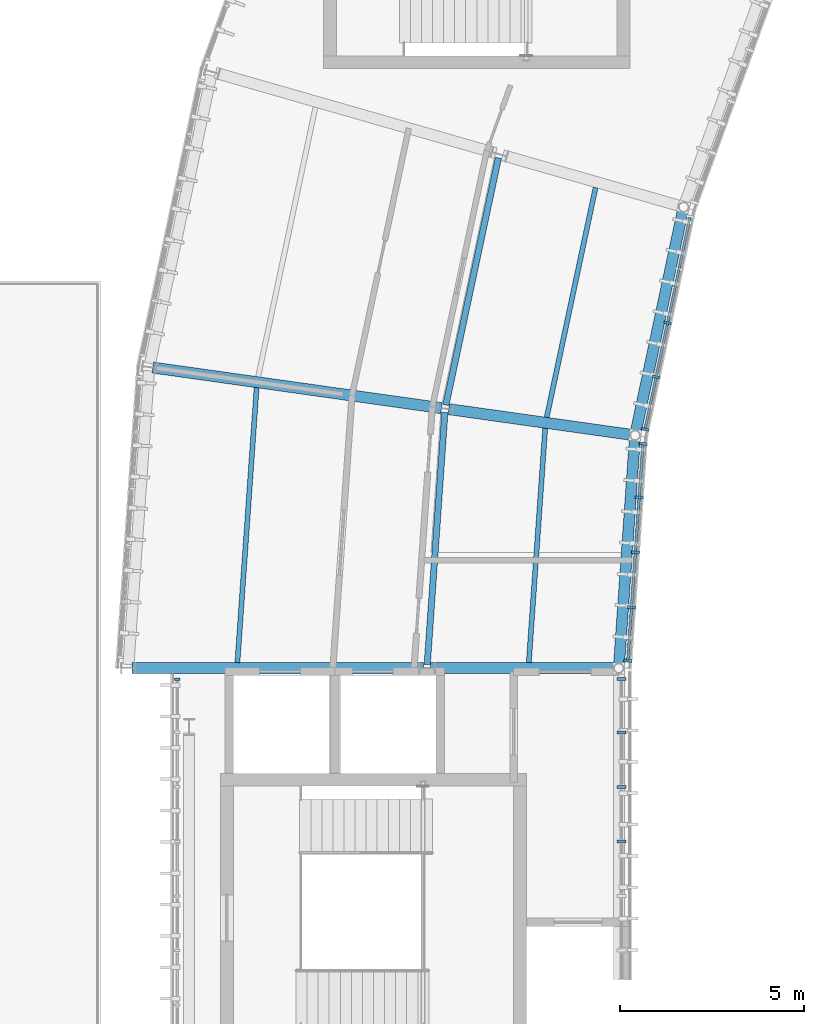
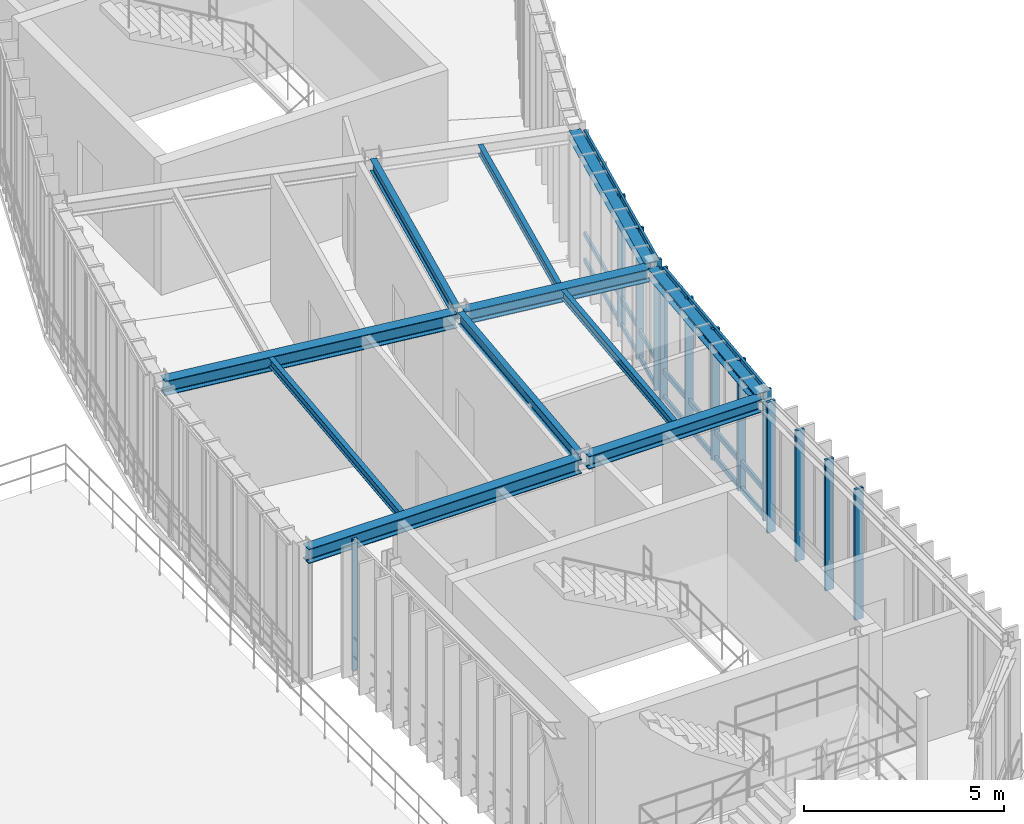
# One storey, part 12 of 52: 19 members, 11 beams, 4 elements without a shape of their own.
"""IFC4 building model written with IfcOpenShell, lengths in metres."""

from ifc_helpers import new_model, si_unit, direction, frame, origin, origin_2d, place, context, subcontext, project, spatial, rectangle, i_section, extrude, material, layer, layer_set, material_profile, profile_set, type_object, element, aggregate, save


model = new_model("IFC4")

# Units and contexts
model_context = context("Model", 3, precision=1e-05, world=origin(), true_north=direction((0.0, 1.0)))
body_context = subcontext(model_context, "Body", "Model", "MODEL_VIEW")
ifc_project = project(units=[si_unit("LENGTHUNIT", "METRE"), si_unit("AREAUNIT", "SQUARE_METRE"), si_unit("VOLUMEUNIT", "CUBIC_METRE"), si_unit("PLANEANGLEUNIT", "RADIAN"), si_unit("MASSUNIT", "GRAM", prefix="KILO"), si_unit("THERMODYNAMICTEMPERATUREUNIT", "KELVIN"), si_unit("POWERUNIT", "WATT")], contexts=[model_context])

# Site, building, storey
site_placement = place(None, origin())
site = spatial("IfcSite", under=ifc_project, at=site_placement, CompositionType="ELEMENT")
building_placement = place(site_placement, origin())
building = spatial("IfcBuilding", under=site, at=building_placement, Name="Solvatero Civic Police Headquarters", CompositionType="ELEMENT")
storey_placement = place(building_placement, frame((0.0, 0.0, 13.5)))
storey = spatial("IfcBuildingStorey", under=building, at=storey_placement, Name="L03", CompositionType="ELEMENT", Elevation=13.5)

# Beams
ifc_material_1 = material(Name="Steel S355", Category="steel")
ifc_material_profile_1 = material_profile(ifc_material_1, i_section(OverallWidth=0.300048828125, OverallDepth=0.2900390625, WebThickness=0.008544921875, FlangeThickness=0.013916015625, FilletRadius=0.027099609375, at=origin_2d()), Name="HEA 300")
ifc_profile_set_1 = profile_set([ifc_material_profile_1], Name="Steel S355")
beam_type_1 = type_object("IfcBeamType", Name="BM-ST-HEA300", PredefinedType="SPANDREL", material=ifc_profile_set_1)
beam_1_placement = place(storey_placement, frame((50.385986328125, 38.40234375, 3.85498046875), z_axis=(-0.207917848731, -0.978146291809, 0.0), x_axis=(0.978146291809, -0.207917848731, 0.0)))
element("IfcBeam", 1, at=beam_1_placement, inside=storey, type_object=beam_type_1, Name="Perimeter / radial spandrel beam BM-R2-L03-ARC-CIN-B11", PredefinedType="SPANDREL", context=body_context, shape_type="SweptSolid", body=[
    extrude(i_section(OverallWidth=0.300048828125, OverallDepth=0.2900390625, WebThickness=0.008544921875, FlangeThickness=0.013916015625, FilletRadius=0.027099609375, at=origin_2d()), origin(), (0.0, 0.0, 1.0), 6.126953125),
])
beam_2_placement = place(storey_placement, frame((49.084228515625, 32.211669921875, 3.85498046875), z_axis=(-0.069734750573, -0.997565569054, 0.0), x_axis=(0.997565569054, -0.069734750573, 0.0)))
element("IfcBeam", 2, at=beam_2_placement, inside=storey, type_object=beam_type_1, Name="Perimeter / radial spandrel beam BM-R2-L03-ARC-CIN-B12", PredefinedType="SPANDREL", context=body_context, shape_type="SweptSolid", body=[
    extrude(i_section(OverallWidth=0.300048828125, OverallDepth=0.2900390625, WebThickness=0.008544921875, FlangeThickness=0.013916015625, FilletRadius=0.027099609375, at=origin_2d()), origin(), (0.0, 0.0, 1.0), 6.126708984375),
])
ifc_material_profile_2 = material_profile(ifc_material_1, i_section(OverallWidth=0.300048828125, OverallDepth=0.389892578125, WebThickness=0.010986328125, FlangeThickness=0.01904296875, FilletRadius=0.027099609375, at=origin_2d()), Name="HEA 400")
ifc_profile_set_2 = profile_set([ifc_material_profile_2], Name="Steel S355")
beam_type_2 = type_object("IfcBeamType", Name="BM-ST-HEA400", PredefinedType="BEAM", material=ifc_profile_set_2)
beam_3_placement = place(storey_placement, frame((48.9921875, 32.325439453125, 3.804931640625), z_axis=(-0.990269200152, 0.139165050317, 0.0), x_axis=(-0.139165050317, -0.990269200152, 0.0)))
element("IfcBeam", 3, at=beam_3_placement, inside=storey, type_object=beam_type_2, Name="Primary girder BM-R2-L03-ARC-RAD1-S11", PredefinedType="BEAM", context=body_context, shape_type="SweptSolid", body=[
    extrude(i_section(OverallWidth=0.300048828125, OverallDepth=0.389892578125, WebThickness=0.010986328125, FlangeThickness=0.01904296875, FilletRadius=0.027099609375, at=origin_2d()), origin(), (0.0, 0.0, 1.0), 4.999755859375),
])
beam_4_placement = place(storey_placement, frame((48.550048828125, 26.0, 3.804931640625), z_axis=(-1.0, 0.0, 0.0), x_axis=(0.0, -1.0, 0.0)))
element("IfcBeam", 4, at=beam_4_placement, inside=storey, type_object=beam_type_2, Name="Primary girder BM-R2-L03-ARC-RAD1-S12", PredefinedType="BEAM", context=body_context, shape_type="SweptSolid", body=[
    extrude(i_section(OverallWidth=0.300048828125, OverallDepth=0.389892578125, WebThickness=0.010986328125, FlangeThickness=0.01904296875, FilletRadius=0.027099609375, at=origin_2d()), origin(), (0.0, 0.0, 1.0), 5.0),
])
ifc_material_profile_3 = material_profile(ifc_material_1, i_section(OverallWidth=0.300048828125, OverallDepth=0.43994140625, WebThickness=0.011474609375, FlangeThickness=0.02099609375, FilletRadius=0.027099609375, at=origin_2d()), Name="HEA 450")
ifc_profile_set_3 = profile_set([ifc_material_profile_3], Name="Steel S355")
beam_type_3 = type_object("IfcBeamType", Name="BM-ST-HEA450", PredefinedType="BEAM", material=ifc_profile_set_3)
for number, where, z_axis, x_axis, name in (
    (5, (43.843017578125, 33.049072265625, 3.780029296875), (-0.990265898664, 0.139188540993, 0.0), (-0.139188540993, -0.990265898664, 0.0), "Primary girder BM-R2-L03-ARC-RAD2-S11"),
    (6, (43.35009765625, 26.0, 3.780029296875), (-1.0, 0.0, 0.0), (0.0, -1.0, 0.0), "Primary girder BM-R2-L03-ARC-RAD2-S12"),
):
    element("IfcBeam", number, at=place(storey_placement, frame(where, z_axis=z_axis, x_axis=x_axis)), inside=storey, type_object=beam_type_3, Name=name, PredefinedType="BEAM", context=body_context, shape_type="SweptSolid", body=[
        extrude(i_section(OverallWidth=0.300048828125, OverallDepth=0.43994140625, WebThickness=0.011474609375, FlangeThickness=0.02099609375, FilletRadius=0.027099609375, at=origin_2d()), origin(), (0.0, 0.0, 1.0), 7.900146484375),
    ])
ifc_material_profile_4 = material_profile(ifc_material_1, i_section(OverallWidth=0.135009765625, OverallDepth=0.27001953125, WebThickness=0.006591796875, FlangeThickness=0.01025390625, FilletRadius=0.014892578125, at=origin_2d()), Name="IPE 270")
ifc_profile_set_4 = profile_set([ifc_material_profile_4], Name="Steel S355")
beam_type_4 = type_object("IfcBeamType", Name="BM-ST-IPE270", PredefinedType="BEAM", material=ifc_profile_set_4)
beam_5_placement = place(storey_placement, frame((48.0205078125, 39.02880859375, 3.864990234375), z_axis=(-0.207926610171, -0.978144429409, 0.0), x_axis=(0.978144429409, -0.207926610171, 0.0)))
element("IfcBeam", 7, at=beam_5_placement, inside=storey, type_object=beam_type_4, Name="Composite floor beam BM-R2-L03-ARC-CS1-B11", PredefinedType="BEAM", context=body_context, shape_type="SweptSolid", body=[
    extrude(i_section(OverallWidth=0.135009765625, OverallDepth=0.27001953125, WebThickness=0.006591796875, FlangeThickness=0.01025390625, FilletRadius=0.014892578125, at=origin_2d()), origin(), (0.0, 0.0, 1.0), 6.36865234375),
])
beam_6_placement = place(storey_placement, frame((46.65478515625, 32.5029296875, 3.864990234375), z_axis=(-0.069767710919, -0.997563264416, 0.0), x_axis=(0.997563264416, -0.069767710919, 0.0)))
element("IfcBeam", 8, at=beam_6_placement, inside=storey, type_object=beam_type_4, Name="Composite floor beam BM-R2-L03-ARC-CS1-B12", PredefinedType="BEAM", context=body_context, shape_type="SweptSolid", body=[
    extrude(i_section(OverallWidth=0.135009765625, OverallDepth=0.27001953125, WebThickness=0.006591796875, FlangeThickness=0.01025390625, FilletRadius=0.014892578125, at=origin_2d()), origin(), (0.0, 0.0, 1.0), 6.368896484375),
])
beam_7_placement = place(storey_placement, frame((38.83154296875, 33.602294921875, 3.864990234375), z_axis=(-0.069737421409, -0.997565382346, 0.0), x_axis=(0.997565382346, -0.069737421409, 0.0)))
element("IfcBeam", 9, at=beam_7_placement, inside=storey, type_object=beam_type_4, Name="Composite floor beam BM-R2-L03-ARC-CS2-B12", PredefinedType="BEAM", context=body_context, shape_type="SweptSolid", body=[
    extrude(i_section(OverallWidth=0.135009765625, OverallDepth=0.27001953125, WebThickness=0.006591796875, FlangeThickness=0.01025390625, FilletRadius=0.014892578125, at=origin_2d()), origin(), (0.0, 0.0, 1.0), 7.470947265625),
])
ifc_material_profile_5 = material_profile(ifc_material_1, i_section(OverallWidth=0.169921875, OverallDepth=0.360107421875, WebThickness=0.008056640625, FlangeThickness=0.0126953125, FilletRadius=0.01806640625, at=origin_2d()), Name="IPE 360")
ifc_profile_set_5 = profile_set([ifc_material_profile_5], Name="Steel S355")
beam_type_5 = type_object("IfcBeamType", Name="BM-ST-IPE360", PredefinedType="BEAM", material=ifc_profile_set_5)
beam_8_placement = place(storey_placement, frame((45.387451171875, 39.835693359375, 3.820068359375), z_axis=(-0.207927785808, -0.9781441795, 0.0), x_axis=(0.9781441795, -0.207927785808, 0.0)))
element("IfcBeam", 10, at=beam_8_placement, inside=storey, type_object=beam_type_5, Name="Composite floor beam BM-R2-L03-ARC-CMID-B11", PredefinedType="BEAM", context=body_context, shape_type="SweptSolid", body=[
    extrude(i_section(OverallWidth=0.169921875, OverallDepth=0.360107421875, WebThickness=0.008056640625, FlangeThickness=0.0126953125, FilletRadius=0.01806640625, at=origin_2d()), origin(), (0.0, 0.0, 1.0), 6.852294921875),
])
beam_9_placement = place(storey_placement, frame((43.934814453125, 32.935302734375, 3.820068359375), z_axis=(-0.069727722696, -0.997566060313, 0.0), x_axis=(0.997566060313, -0.069727722696, 0.0)))
element("IfcBeam", 11, at=beam_9_placement, inside=storey, type_object=beam_type_5, Name="Composite floor beam BM-R2-L03-ARC-CMID-B12", PredefinedType="BEAM", context=body_context, shape_type="SweptSolid", body=[
    extrude(i_section(OverallWidth=0.169921875, OverallDepth=0.360107421875, WebThickness=0.008056640625, FlangeThickness=0.0126953125, FilletRadius=0.01806640625, at=origin_2d()), origin(), (0.0, 0.0, 1.0), 6.85205078125),
])

# Curtain wall, members
ifc_material_2 = material(Name="Anodized Bronze Aluminium", Category="aluminium")
ifc_layer_1 = layer(ifc_material_2, 0.179931640625)
ifc_layer_set_1 = layer_set([ifc_layer_1], Name="Anodized Bronze Aluminium")
curtain_wall_type_1 = type_object("IfcCurtainWallType", Name="CW-PROW-GLZ", PredefinedType="USERDEFINED", material=ifc_layer_set_1)
curtain_wall_1_placement = place(storey_placement, origin())
curtain_wall_1 = element("IfcCurtainWall", 12, at=curtain_wall_1_placement, inside=storey, type_object=curtain_wall_type_1, Name="Curtain Wall CW-R2-L03-PROW-E", ObjectType="UNITISED", PredefinedType="USERDEFINED")
ifc_material_profile_6 = material_profile(ifc_material_2, rectangle(XDim=0.080078125, YDim=0.239990234375, at=origin_2d()), Name="ALU MULLION 80x240")
ifc_profile_set_6 = profile_set([ifc_material_profile_6], Name="Anodized Bronze Aluminium")
member_type_1 = type_object("IfcMemberType", Name="CWM-140x60", PredefinedType="MULLION", material=ifc_profile_set_6)
member_1_placement = place(storey_placement, frame((48.719970703125, 21.3037109375, 0.0), z_axis=(0.0, 0.0, 1.0), x_axis=(0.0, 1.0, 0.0)))
member_1 = element("IfcMember", 13, at=member_1_placement, type_object=member_type_1, Name="CW-R2-L03-PROW-E Mullion 6", PredefinedType="MULLION", context=body_context, shape_type="SweptSolid", body=[
    extrude(rectangle(XDim=0.080078125, YDim=0.239990234375, at=origin_2d()), origin(), (0.0, 0.0, 1.0), 4.0),
])
member_2_placement = place(storey_placement, frame((48.719970703125, 22.782470703125, 0.0), z_axis=(0.0, 0.0, 1.0), x_axis=(0.0, 1.0, 0.0)))
member_2 = element("IfcMember", 14, at=member_2_placement, type_object=member_type_1, Name="CW-R2-L03-PROW-E Mullion 7", PredefinedType="MULLION", context=body_context, shape_type="SweptSolid", body=[
    extrude(rectangle(XDim=0.080078125, YDim=0.239990234375, at=origin_2d()), origin(), (0.0, 0.0, 1.0), 4.0),
])
member_3_placement = place(storey_placement, frame((48.719970703125, 24.26123046875, 0.0), z_axis=(0.0, 0.0, 1.0), x_axis=(0.0, 1.0, 0.0)))
member_3 = element("IfcMember", 15, at=member_3_placement, type_object=member_type_1, Name="CW-R2-L03-PROW-E Mullion 8", PredefinedType="MULLION", context=body_context, shape_type="SweptSolid", body=[
    extrude(rectangle(XDim=0.080078125, YDim=0.239990234375, at=origin_2d()), origin(), (0.0, 0.0, 1.0), 4.0),
])
member_4_placement = place(storey_placement, frame((48.719970703125, 25.699951171875, 0.0), z_axis=(0.0, 0.0, 1.0), x_axis=(0.0, 1.0, 0.0)))
member_4 = element("IfcMember", 16, at=member_4_placement, type_object=member_type_1, Name="CW-R2-L03-PROW-E Mullion 9", PredefinedType="MULLION", context=body_context, shape_type="SweptSolid", body=[
    extrude(rectangle(XDim=0.080078125, YDim=0.239990234375, at=origin_2d()), origin(), (0.0, 0.0, 1.0), 4.0),
])
aggregate(curtain_wall_1, [member_1, member_2, member_3, member_4])

# Curtain wall, member
curtain_wall_2_placement = place(storey_placement, origin())
curtain_wall_2 = element("IfcCurtainWall", 17, at=curtain_wall_2_placement, inside=storey, type_object=curtain_wall_type_1, Name="Curtain Wall CW-R2-L03-PROW-W", ObjectType="UNITISED", PredefinedType="USERDEFINED")
ifc_material_profile_7 = material_profile(ifc_material_2, rectangle(XDim=0.06005859375, YDim=0.139892578125, at=origin_2d()), Name="ALU MULLION 60x140")
ifc_profile_set_7 = profile_set([ifc_material_profile_7], Name="Anodized Bronze Aluminium")
member_type_2 = type_object("IfcMemberType", Name="CWM-160x65", PredefinedType="MULLION", material=ifc_profile_set_7)
member_5_placement = place(storey_placement, frame((36.679931640625, 25.699951171875, 0.0), z_axis=(0.0, 0.0, 1.0), x_axis=(0.0, -1.0, 0.0)))
member_5 = element("IfcMember", 18, at=member_5_placement, type_object=member_type_2, Name="CW-R2-L03-PROW-W Mullion 1", PredefinedType="MULLION", context=body_context, shape_type="SweptSolid", body=[
    extrude(rectangle(XDim=0.06005859375, YDim=0.139892578125, at=origin_2d()), origin(), (0.0, 0.0, 1.0), 4.0),
])
aggregate(curtain_wall_2, [member_5])

# Curtain wall, members
ifc_layer_2 = layer(ifc_material_2, 0.179931640625)
ifc_layer_set_2 = layer_set([ifc_layer_2], Name="Anodized Bronze Aluminium")
curtain_wall_type_2 = type_object("IfcCurtainWallType", Name="CW-ARC-IN", PredefinedType="USERDEFINED", material=ifc_layer_set_2)
curtain_wall_3_placement = place(storey_placement, origin())
curtain_wall_3 = element("IfcCurtainWall", 19, at=curtain_wall_3_placement, inside=storey, type_object=curtain_wall_type_2, Name="Curtain Wall CW-R2-L03-ARC-IN-B11", ObjectType="UNITISED", PredefinedType="USERDEFINED")
ifc_material_profile_8 = material_profile(ifc_material_2, rectangle(XDim=0.070068359375, YDim=0.199951171875, at=origin_2d()), Name="ALU MULLION 70x200")
ifc_profile_set_8 = profile_set([ifc_material_profile_8], Name="Anodized Bronze Aluminium")
member_type_3 = type_object("IfcMemberType", Name="CWM-220x80", PredefinedType="MULLION", material=ifc_profile_set_8)
member_6_placement = place(storey_placement, frame((49.973388671875, 35.358154296875, 0.0), z_axis=(0.0, 0.0, 1.0), x_axis=(-0.207911690818, -0.978147600734, 0.0)))
member_6 = element("IfcMember", 20, at=member_6_placement, type_object=member_type_3, Name="CW-R2-L03-ARC-IN-B11 Mullion 3", PredefinedType="MULLION", context=body_context, shape_type="SweptSolid", body=[
    extrude(rectangle(XDim=0.070068359375, YDim=0.199951171875, at=origin_2d()), origin(), (0.0, 0.0, 1.0), 4.0),
])
member_7_placement = place(storey_placement, frame((49.662841796875, 33.897216796875, 0.0), z_axis=(0.0, 0.0, 1.0), x_axis=(-0.207911690818, -0.978147600734, 0.0)))
member_7 = element("IfcMember", 21, at=member_7_placement, type_object=member_type_3, Name="CW-R2-L03-ARC-IN-B11 Mullion 4", PredefinedType="MULLION", context=body_context, shape_type="SweptSolid", body=[
    extrude(rectangle(XDim=0.070068359375, YDim=0.199951171875, at=origin_2d()), origin(), (0.0, 0.0, 1.0), 4.0),
])
member_8_placement = place(storey_placement, frame((49.360595703125, 32.4755859375, 0.0), z_axis=(0.0, 0.0, 1.0), x_axis=(-0.207911690818, -0.978147600734, 0.0)))
member_8 = element("IfcMember", 22, at=member_8_placement, type_object=member_type_3, Name="CW-R2-L03-ARC-IN-B11 Mullion 5", PredefinedType="MULLION", context=body_context, shape_type="SweptSolid", body=[
    extrude(rectangle(XDim=0.070068359375, YDim=0.199951171875, at=origin_2d()), origin(), (0.0, 0.0, 1.0), 4.0),
])

curtain_wall_4_placement = place(storey_placement, origin())
curtain_wall_4 = element("IfcCurtainWall", 23, at=curtain_wall_4_placement, inside=storey, type_object=curtain_wall_type_2, Name="Curtain Wall CW-R2-L03-ARC-IN-B12", ObjectType="UNITISED", PredefinedType="USERDEFINED")
ifc_material_profile_9 = material_profile(ifc_material_2, rectangle(XDim=0.074951171875, YDim=0.219970703125, at=origin_2d()), Name="ALU MULLION 75x220")
ifc_profile_set_9 = profile_set([ifc_material_profile_9], Name="Anodized Bronze Aluminium")
member_type_4 = type_object("IfcMemberType", Name="CWM-250x85", PredefinedType="MULLION", material=ifc_profile_set_9)
member_9_placement = place(storey_placement, frame((49.30517578125, 32.07958984375, 0.0), z_axis=(0.0, 0.0, 1.0), x_axis=(-0.069756473744, -0.99756405026, 0.0)))
member_9 = element("IfcMember", 24, at=member_9_placement, type_object=member_type_4, Name="CW-R2-L03-ARC-IN-B12 Mullion 1", PredefinedType="MULLION", context=body_context, shape_type="SweptSolid", body=[
    extrude(rectangle(XDim=0.074951171875, YDim=0.219970703125, at=origin_2d()), origin(), (0.0, 0.0, 1.0), 4.0),
])
member_10_placement = place(storey_placement, frame((49.20361328125, 30.629638671875, 0.0), z_axis=(0.0, 0.0, 1.0), x_axis=(-0.069756473744, -0.99756405026, 0.0)))
member_10 = element("IfcMember", 25, at=member_10_placement, type_object=member_type_4, Name="CW-R2-L03-ARC-IN-B12 Mullion 2", PredefinedType="MULLION", context=body_context, shape_type="SweptSolid", body=[
    extrude(rectangle(XDim=0.074951171875, YDim=0.219970703125, at=origin_2d()), origin(), (0.0, 0.0, 1.0), 4.0),
])
member_11_placement = place(storey_placement, frame((49.099609375, 29.139892578125, 0.0), z_axis=(0.0, 0.0, 1.0), x_axis=(-0.069756473744, -0.99756405026, 0.0)))
member_11 = element("IfcMember", 26, at=member_11_placement, type_object=member_type_4, Name="CW-R2-L03-ARC-IN-B12 Mullion 3", PredefinedType="MULLION", context=body_context, shape_type="SweptSolid", body=[
    extrude(rectangle(XDim=0.074951171875, YDim=0.219970703125, at=origin_2d()), origin(), (0.0, 0.0, 1.0), 4.0),
])
member_12_placement = place(storey_placement, frame((48.995361328125, 27.64990234375, 0.0), z_axis=(0.0, 0.0, 1.0), x_axis=(-0.069756473744, -0.99756405026, 0.0)))
member_12 = element("IfcMember", 27, at=member_12_placement, type_object=member_type_4, Name="CW-R2-L03-ARC-IN-B12 Mullion 4", PredefinedType="MULLION", context=body_context, shape_type="SweptSolid", body=[
    extrude(rectangle(XDim=0.074951171875, YDim=0.219970703125, at=origin_2d()), origin(), (0.0, 0.0, 1.0), 4.0),
])
member_13_placement = place(storey_placement, frame((48.89404296875, 26.199951171875, 0.0), z_axis=(0.0, 0.0, 1.0), x_axis=(-0.069756473744, -0.99756405026, 0.0)))
member_13 = element("IfcMember", 28, at=member_13_placement, type_object=member_type_4, Name="CW-R2-L03-ARC-IN-B12 Mullion 5", PredefinedType="MULLION", context=body_context, shape_type="SweptSolid", body=[
    extrude(rectangle(XDim=0.074951171875, YDim=0.219970703125, at=origin_2d()), origin(), (0.0, 0.0, 1.0), 4.0),
])
ifc_material_profile_10 = material_profile(ifc_material_2, rectangle(XDim=0.070068359375, YDim=0.159912109375, at=origin_2d()), Name="ALU TRANSOM 70x160")
ifc_profile_set_10 = profile_set([ifc_material_profile_10], Name="Anodized Bronze Aluminium")
member_type_5 = type_object("IfcMemberType", Name="CWT-120x55", PredefinedType="USERDEFINED", material=ifc_profile_set_10)
member_14_placement = place(storey_placement, frame((49.304443359375, 32.069580078125, 0.0400390625), z_axis=(-0.069743510573, -0.997564956648, 0.0), x_axis=(0.997564956648, -0.069743510573, 0.0)))
member_14 = element("IfcMember", 29, at=member_14_placement, type_object=member_type_5, Name="CW-R2-L03-ARC-IN-B12 Transom 1", ObjectType="TRANSOM", PredefinedType="USERDEFINED", context=body_context, shape_type="SweptSolid", body=[
    extrude(rectangle(XDim=0.070068359375, YDim=0.159912109375, at=origin_2d()), origin(), (0.0, 0.0, 1.0), 5.8740234375),
])
member_15_placement = place(storey_placement, frame((49.304443359375, 32.069580078125, 0.85009765625), z_axis=(-0.069743510573, -0.997564956648, 0.0), x_axis=(0.997564956648, -0.069743510573, 0.0)))
member_15 = element("IfcMember", 30, at=member_15_placement, type_object=member_type_5, Name="CW-R2-L03-ARC-IN-B12 Transom 2", ObjectType="TRANSOM", PredefinedType="USERDEFINED", context=body_context, shape_type="SweptSolid", body=[
    extrude(rectangle(XDim=0.070068359375, YDim=0.159912109375, at=origin_2d()), origin(), (0.0, 0.0, 1.0), 5.8740234375),
])
member_16_placement = place(storey_placement, frame((49.304443359375, 32.069580078125, 3.9599609375), z_axis=(-0.069743510573, -0.997564956648, 0.0), x_axis=(0.997564956648, -0.069743510573, 0.0)))
member_16 = element("IfcMember", 31, at=member_16_placement, type_object=member_type_5, Name="CW-R2-L03-ARC-IN-B12 Transom 3", ObjectType="TRANSOM", PredefinedType="USERDEFINED", context=body_context, shape_type="SweptSolid", body=[
    extrude(rectangle(XDim=0.070068359375, YDim=0.159912109375, at=origin_2d()), origin(), (0.0, 0.0, 1.0), 5.8740234375),
])
aggregate(curtain_wall_4, [member_9, member_10, member_11, member_12, member_13, member_14, member_15, member_16])

# Member
ifc_material_profile_11 = material_profile(ifc_material_2, rectangle(XDim=0.06494140625, YDim=0.139892578125, at=origin_2d()), Name="ALU TRANSOM 65x140")
ifc_profile_set_11 = profile_set([ifc_material_profile_11], Name="Anodized Bronze Aluminium")
member_type_6 = type_object("IfcMemberType", Name="CWT-180x70", PredefinedType="USERDEFINED", material=ifc_profile_set_11)
member_17_placement = place(storey_placement, frame((50.583984375, 38.23095703125, 0.0400390625), z_axis=(-0.207899517354, -0.978150188204, 0.0), x_axis=(0.978150188204, -0.207899517354, 0.0)))
member_17 = element("IfcMember", 32, at=member_17_placement, type_object=member_type_6, Name="CW-R2-L03-ARC-IN-B11 Transom 1", ObjectType="TRANSOM", PredefinedType="USERDEFINED", context=body_context, shape_type="SweptSolid", body=[
    extrude(rectangle(XDim=0.06494140625, YDim=0.139892578125, at=origin_2d()), origin(), (0.0, 0.0, 1.0), 5.8740234375),
])

member_18_placement = place(storey_placement, frame((50.583984375, 38.23095703125, 0.85009765625), z_axis=(-0.207899517354, -0.978150188204, 0.0), x_axis=(0.978150188204, -0.207899517354, 0.0)))
member_18 = element("IfcMember", 33, at=member_18_placement, type_object=member_type_6, Name="CW-R2-L03-ARC-IN-B11 Transom 2", ObjectType="TRANSOM", PredefinedType="USERDEFINED", context=body_context, shape_type="SweptSolid", body=[
    extrude(rectangle(XDim=0.06494140625, YDim=0.139892578125, at=origin_2d()), origin(), (0.0, 0.0, 1.0), 5.8740234375),
])

member_19_placement = place(storey_placement, frame((50.583984375, 38.23095703125, 3.9599609375), z_axis=(-0.207899517354, -0.978150188204, 0.0), x_axis=(0.978150188204, -0.207899517354, 0.0)))
member_19 = element("IfcMember", 34, at=member_19_placement, type_object=member_type_6, Name="CW-R2-L03-ARC-IN-B11 Transom 3", ObjectType="TRANSOM", PredefinedType="USERDEFINED", context=body_context, shape_type="SweptSolid", body=[
    extrude(rectangle(XDim=0.06494140625, YDim=0.139892578125, at=origin_2d()), origin(), (0.0, 0.0, 1.0), 5.8740234375),
])

aggregate(curtain_wall_3, [member_6, member_7, member_8, member_17, member_18, member_19])

save(model, "model.ifc")
